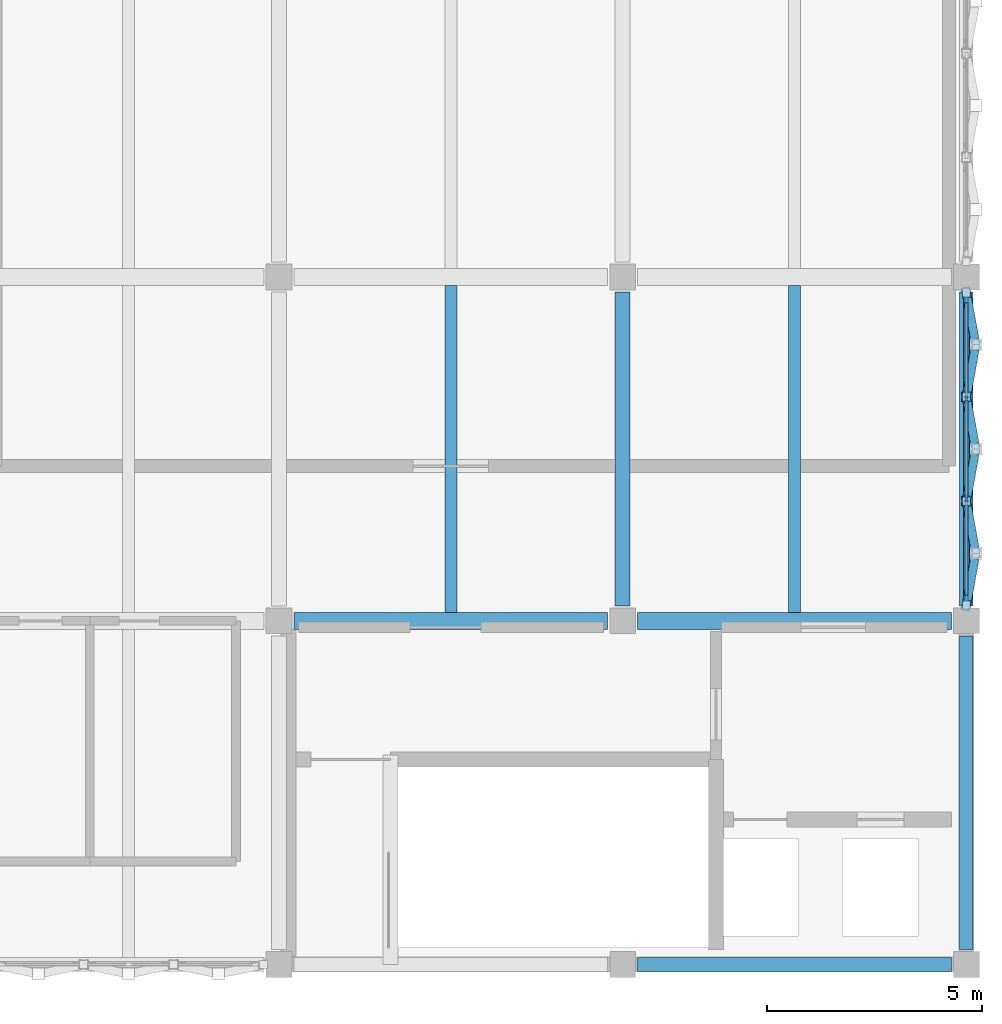
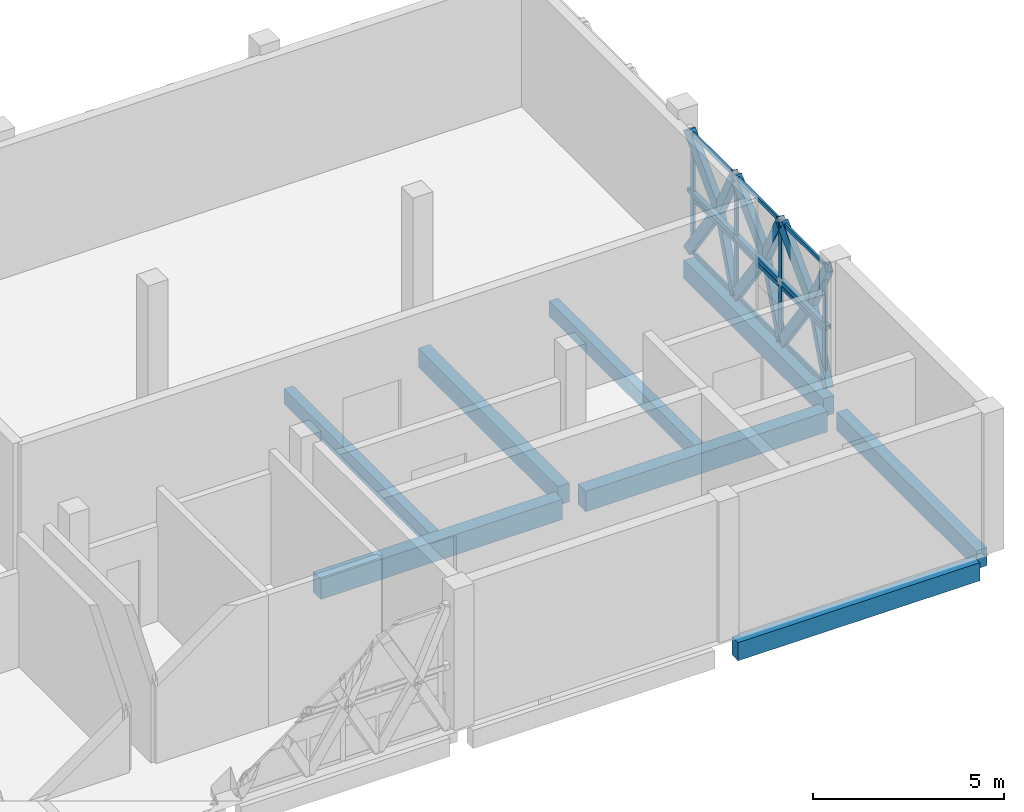
# One storey, part 16 of 43: 28 members, 8 beams, 1 element without a shape of its own.
"""IFC4 building model written with IfcOpenShell, lengths in metres."""

from ifc_helpers import new_model, si_unit, direction, frame, origin, origin_2d, place, context, subcontext, project, spatial, rectangle, hollow_rectangle, extrude, material, layer, layer_set, material_profile, profile_set, type_object, element, aggregate, save


model = new_model("IFC4")

# Units and contexts
model_context = context("Model", 3, precision=1e-05, world=origin(), true_north=direction((0.0, 1.0)))
body_context = subcontext(model_context, "Body", "Model", "MODEL_VIEW")
ifc_project = project(units=[si_unit("LENGTHUNIT", "METRE"), si_unit("AREAUNIT", "SQUARE_METRE"), si_unit("VOLUMEUNIT", "CUBIC_METRE"), si_unit("PLANEANGLEUNIT", "RADIAN"), si_unit("MASSUNIT", "GRAM", prefix="KILO")], contexts=[model_context])

# Site, building, storey
site_placement = place(None, origin())
site = spatial("IfcSite", under=ifc_project, at=site_placement, CompositionType="ELEMENT")
building_placement = place(site_placement, origin())
building = spatial("IfcBuilding", under=site, at=building_placement, Name="Qorikala Patio Media Centre", CompositionType="ELEMENT")
storey_placement = place(building_placement, frame((0.0, 0.0, 18.89990234375)))
storey = spatial("IfcBuildingStorey", under=building, at=storey_placement, Name="L04", CompositionType="ELEMENT", Elevation=18.89990234375)

# Beams
ifc_material_1 = material(Name="Concrete C35/45", Category="concrete")
ifc_material_profile_1 = material_profile(ifc_material_1, rectangle(XDim=0.35009765625, YDim=0.60009765625, at=origin_2d()), Name="RC 350x600")
ifc_profile_set_1 = profile_set([ifc_material_profile_1], Name="Concrete C35/45")
beam_type_1 = type_object("IfcBeamType", Name="BM-G350X600", PredefinedType="BEAM", material=ifc_profile_set_1)
beam_placement = place(storey_placement, frame((90.0, 11.35009765625, -0.599853515625), z_axis=(0.0, 1.0, 0.0), x_axis=(-1.0, 0.0, 0.0)))
element("IfcBeam", 1, at=beam_placement, inside=storey, type_object=beam_type_1, Name="L04 Grid X=90 Beam 1438", PredefinedType="BEAM", context=body_context, shape_type="SweptSolid", body=[
    extrude(rectangle(XDim=0.35009765625, YDim=0.60009765625, at=origin_2d()), origin(), (0.0, 0.0, 1.0), 7.2998046875),
])
ifc_material_profile_2 = material_profile(ifc_material_1, rectangle(XDim=0.39990234375, YDim=0.64990234375, at=origin_2d()), Name="RC 400x650")
ifc_profile_set_2 = profile_set([ifc_material_profile_2], Name="Concrete C35/45")
beam_type_2 = type_object("IfcBeamType", Name="BM-G400X650", PredefinedType="BEAM", material=ifc_profile_set_2)
for number, where, z_axis, x_axis, name in (
    (2, (82.35009765625, 11.0, -0.625), (1.0, 0.0, 0.0), (0.0, 1.0, 0.0), "L04 Grid 11 Beam 1339"),
    (3, (90.35009765625, 11.0, -0.625), (1.0, 0.0, 0.0), (0.0, 1.0, 0.0), "L04 Grid 11 Beam 1340"),
):
    element("IfcBeam", number, at=place(storey_placement, frame(where, z_axis=z_axis, x_axis=x_axis)), inside=storey, type_object=beam_type_2, Name=name, PredefinedType="BEAM", context=body_context, shape_type="SweptSolid", body=[
        extrude(rectangle(XDim=0.39990234375, YDim=0.64990234375, at=origin_2d()), origin(), (0.0, 0.0, 1.0), 7.2998046875),
    ])

# Members
ifc_material_2 = material(Name="Golden Bronze Coated Steel S355", Category="steel")
ifc_material_profile_3 = material_profile(ifc_material_2, hollow_rectangle(XDim=0.139892578125, YDim=0.139892578125, WallThickness=0.006103515625, at=origin_2d()), Name="HSS140X140X6")
ifc_profile_set_3 = profile_set([ifc_material_profile_3], Name="Golden Bronze Coated Steel S355")
member_type_1 = type_object("IfcMemberType", Name="BRACE-DIA140", PredefinedType="BRACE", material=ifc_profile_set_3)
member_1_placement = place(storey_placement, frame((98.0, 18.639892578125, 1.925048828125), z_axis=(0.0, -1.0, 0.0), x_axis=(1.0, 0.0, 0.0)))
element("IfcMember", 4, at=member_1_placement, inside=storey, type_object=member_type_1, Name="L04 Diamond Fold Tie 124", PredefinedType="BRACE", context=body_context, shape_type="SweptSolid", body=[
    extrude(hollow_rectangle(XDim=0.139892578125, YDim=0.139892578125, WallThickness=0.006103515625, at=origin_2d()), origin(), (0.0, 0.0, 1.0), 2.426513671875),
])
member_2_placement = place(storey_placement, frame((98.0, 16.21337890625, 1.925048828125), z_axis=(0.0, -1.0, 0.0), x_axis=(1.0, 0.0, 0.0)))
element("IfcMember", 5, at=member_2_placement, inside=storey, type_object=member_type_1, Name="L04 Diamond Fold Tie 125", PredefinedType="BRACE", context=body_context, shape_type="SweptSolid", body=[
    extrude(hollow_rectangle(XDim=0.139892578125, YDim=0.139892578125, WallThickness=0.006103515625, at=origin_2d()), origin(), (0.0, 0.0, 1.0), 2.4267578125),
])
member_3_placement = place(storey_placement, frame((98.0, 13.78662109375, 1.925048828125), z_axis=(0.0, -1.0, 0.0), x_axis=(1.0, 0.0, 0.0)))
element("IfcMember", 6, at=member_3_placement, inside=storey, type_object=member_type_1, Name="L04 Diamond Fold Tie 126", PredefinedType="BRACE", context=body_context, shape_type="SweptSolid", body=[
    extrude(hollow_rectangle(XDim=0.139892578125, YDim=0.139892578125, WallThickness=0.006103515625, at=origin_2d()), origin(), (0.0, 0.0, 1.0), 2.426513671875),
])

# Curtain wall, members
ifc_material_3 = material(Name="Golden Bronze Anodised Aluminium and Low-E Glass", Category="aluminium")
ifc_layer = layer(ifc_material_3, 0.159912109375)
ifc_layer_set = layer_set([ifc_layer], Name="Golden Bronze Anodised Aluminium and Low-E Glass")
curtain_wall_type = type_object("IfcCurtainWallType", Name="CW-DIA-696X385", PredefinedType="USERDEFINED", material=ifc_layer_set)
curtain_wall_placement = place(storey_placement, origin())
curtain_wall = element("IfcCurtainWall", 7, at=curtain_wall_placement, inside=storey, type_object=curtain_wall_type, Name="L04 Courtyard Curtain Wall 083", ObjectType="COURTYARD CURTAIN WALL", PredefinedType="USERDEFINED")
ifc_material_4 = material(Name="Golden Bronze Anodised Aluminium", Category="aluminium")
ifc_material_profile_4 = material_profile(ifc_material_4, rectangle(XDim=0.06494140625, YDim=0.14990234375, at=origin_2d()), Name="ALU MULLION 65x150")
ifc_profile_set_4 = profile_set([ifc_material_profile_4], Name="Golden Bronze Anodised Aluminium")
member_type_2 = type_object("IfcMemberType", Name="CWM-65X150", PredefinedType="MULLION", material=ifc_profile_set_4)
member_4_placement = place(storey_placement, frame((98.0, 18.447509765625, 0.0), z_axis=(0.0, 0.0, 1.0), x_axis=(1.0, 0.0, 0.0)))
member_4 = element("IfcMember", 8, at=member_4_placement, type_object=member_type_2, Name="CWD696385 mullion 1", PredefinedType="MULLION", context=body_context, shape_type="SweptSolid", body=[
    extrude(rectangle(XDim=0.06494140625, YDim=0.14990234375, at=origin_2d()), origin(), (0.0, 0.0, 1.0), 3.85009765625),
])
member_5_placement = place(storey_placement, frame((98.0, 16.159912109375, 0.0), z_axis=(0.0, 0.0, 1.0), x_axis=(1.0, 0.0, 0.0)))
member_5 = element("IfcMember", 9, at=member_5_placement, type_object=member_type_2, Name="CWD696385 mullion 2", PredefinedType="MULLION", context=body_context, shape_type="SweptSolid", body=[
    extrude(rectangle(XDim=0.06494140625, YDim=0.14990234375, at=origin_2d()), origin(), (0.0, 0.0, 1.0), 3.85009765625),
])
member_6_placement = place(storey_placement, frame((98.0, 13.840087890625, 0.0), z_axis=(0.0, 0.0, 1.0), x_axis=(1.0, 0.0, 0.0)))
member_6 = element("IfcMember", 10, at=member_6_placement, type_object=member_type_2, Name="CWD696385 mullion 3", PredefinedType="MULLION", context=body_context, shape_type="SweptSolid", body=[
    extrude(rectangle(XDim=0.06494140625, YDim=0.14990234375, at=origin_2d()), origin(), (0.0, 0.0, 1.0), 3.85009765625),
])
member_7_placement = place(storey_placement, frame((98.0, 11.552490234375, 0.0), z_axis=(0.0, 0.0, 1.0), x_axis=(1.0, 0.0, 0.0)))
member_7 = element("IfcMember", 11, at=member_7_placement, type_object=member_type_2, Name="CWD696385 mullion 4", PredefinedType="MULLION", context=body_context, shape_type="SweptSolid", body=[
    extrude(rectangle(XDim=0.06494140625, YDim=0.14990234375, at=origin_2d()), origin(), (0.0, 0.0, 1.0), 3.85009765625),
])
ifc_material_profile_5 = material_profile(ifc_material_4, rectangle(XDim=0.06494140625, YDim=0.1201171875, at=origin_2d()), Name="ALU TRANSOM 65x120")
ifc_profile_set_5 = profile_set([ifc_material_profile_5], Name="Golden Bronze Anodised Aluminium")
member_type_3 = type_object("IfcMemberType", Name="CWT-65X120", PredefinedType="USERDEFINED", material=ifc_profile_set_5)
member_8_placement = place(storey_placement, frame((98.0, 18.4150390625, 0.03271484375), z_axis=(0.0, -1.0, 0.0), x_axis=(1.0, 0.0, 0.0)))
member_8 = element("IfcMember", 12, at=member_8_placement, type_object=member_type_3, Name="CWD696385 transom 1.1", ObjectType="TRANSOM", PredefinedType="USERDEFINED", context=body_context, shape_type="SweptSolid", body=[
    extrude(rectangle(XDim=0.06494140625, YDim=0.1201171875, at=origin_2d()), origin(), (0.0, 0.0, 1.0), 2.22265625),
])
member_9_placement = place(storey_placement, frame((98.0, 18.4150390625, 1.732666015625), z_axis=(0.0, -1.0, 0.0), x_axis=(1.0, 0.0, 0.0)))
member_9 = element("IfcMember", 13, at=member_9_placement, type_object=member_type_3, Name="CWD696385 transom 1.2", ObjectType="TRANSOM", PredefinedType="USERDEFINED", context=body_context, shape_type="SweptSolid", body=[
    extrude(rectangle(XDim=0.06494140625, YDim=0.1201171875, at=origin_2d()), origin(), (0.0, 0.0, 1.0), 2.22265625),
])
member_10_placement = place(storey_placement, frame((98.0, 18.4150390625, 3.817626953125), z_axis=(0.0, -1.0, 0.0), x_axis=(1.0, 0.0, 0.0)))
member_10 = element("IfcMember", 14, at=member_10_placement, type_object=member_type_3, Name="CWD696385 transom 1.3", ObjectType="TRANSOM", PredefinedType="USERDEFINED", context=body_context, shape_type="SweptSolid", body=[
    extrude(rectangle(XDim=0.06494140625, YDim=0.1201171875, at=origin_2d()), origin(), (0.0, 0.0, 1.0), 2.22265625),
])
member_11_placement = place(storey_placement, frame((98.0, 16.12744140625, 0.03271484375), z_axis=(0.0, -1.0, 0.0), x_axis=(1.0, 0.0, 0.0)))
member_11 = element("IfcMember", 15, at=member_11_placement, type_object=member_type_3, Name="CWD696385 transom 2.1", ObjectType="TRANSOM", PredefinedType="USERDEFINED", context=body_context, shape_type="SweptSolid", body=[
    extrude(rectangle(XDim=0.06494140625, YDim=0.1201171875, at=origin_2d()), origin(), (0.0, 0.0, 1.0), 2.2548828125),
])
member_12_placement = place(storey_placement, frame((98.0, 16.12744140625, 1.732666015625), z_axis=(0.0, -1.0, 0.0), x_axis=(1.0, 0.0, 0.0)))
member_12 = element("IfcMember", 16, at=member_12_placement, type_object=member_type_3, Name="CWD696385 transom 2.2", ObjectType="TRANSOM", PredefinedType="USERDEFINED", context=body_context, shape_type="SweptSolid", body=[
    extrude(rectangle(XDim=0.06494140625, YDim=0.1201171875, at=origin_2d()), origin(), (0.0, 0.0, 1.0), 2.2548828125),
])
member_13_placement = place(storey_placement, frame((98.0, 16.12744140625, 3.817626953125), z_axis=(0.0, -1.0, 0.0), x_axis=(1.0, 0.0, 0.0)))
member_13 = element("IfcMember", 17, at=member_13_placement, type_object=member_type_3, Name="CWD696385 transom 2.3", ObjectType="TRANSOM", PredefinedType="USERDEFINED", context=body_context, shape_type="SweptSolid", body=[
    extrude(rectangle(XDim=0.06494140625, YDim=0.1201171875, at=origin_2d()), origin(), (0.0, 0.0, 1.0), 2.2548828125),
])
member_14_placement = place(storey_placement, frame((98.0, 13.8076171875, 0.03271484375), z_axis=(0.0, -1.0, 0.0), x_axis=(1.0, 0.0, 0.0)))
member_14 = element("IfcMember", 18, at=member_14_placement, type_object=member_type_3, Name="CWD696385 transom 3.1", ObjectType="TRANSOM", PredefinedType="USERDEFINED", context=body_context, shape_type="SweptSolid", body=[
    extrude(rectangle(XDim=0.06494140625, YDim=0.1201171875, at=origin_2d()), origin(), (0.0, 0.0, 1.0), 2.22265625),
])
member_15_placement = place(storey_placement, frame((98.0, 13.8076171875, 1.732666015625), z_axis=(0.0, -1.0, 0.0), x_axis=(1.0, 0.0, 0.0)))
member_15 = element("IfcMember", 19, at=member_15_placement, type_object=member_type_3, Name="CWD696385 transom 3.2", ObjectType="TRANSOM", PredefinedType="USERDEFINED", context=body_context, shape_type="SweptSolid", body=[
    extrude(rectangle(XDim=0.06494140625, YDim=0.1201171875, at=origin_2d()), origin(), (0.0, 0.0, 1.0), 2.22265625),
])
member_16_placement = place(storey_placement, frame((98.0, 13.8076171875, 3.817626953125), z_axis=(0.0, -1.0, 0.0), x_axis=(1.0, 0.0, 0.0)))
member_16 = element("IfcMember", 20, at=member_16_placement, type_object=member_type_3, Name="CWD696385 transom 3.3", ObjectType="TRANSOM", PredefinedType="USERDEFINED", context=body_context, shape_type="SweptSolid", body=[
    extrude(rectangle(XDim=0.06494140625, YDim=0.1201171875, at=origin_2d()), origin(), (0.0, 0.0, 1.0), 2.22265625),
])
aggregate(curtain_wall, [member_4, member_5, member_6, member_7, member_8, member_9, member_10, member_11, member_12, member_13, member_14, member_15, member_16])

# Beams
ifc_material_profile_6 = material_profile(ifc_material_1, rectangle(XDim=0.280029296875, YDim=0.47998046875, at=origin_2d()), Name="RC 280x480")
ifc_profile_set_6 = profile_set([ifc_material_profile_6], Name="Concrete C35/45")
beam_type_3 = type_object("IfcBeamType", Name="JS-280X480", PredefinedType="JOIST", material=ifc_profile_set_6)
for number, where, z_axis, x_axis, name in (
    (21, (86.0, 11.199951171875, -0.539794921875), (0.0, 1.0, 0.0), (-1.0, 0.0, 0.0), "L04 Secondary Joist 1482"),
    (22, (94.0, 11.199951171875, -0.539794921875), (0.0, 1.0, 0.0), (-1.0, 0.0, 0.0), "L04 Secondary Joist 1484"),
):
    element("IfcBeam", number, at=place(storey_placement, frame(where, z_axis=z_axis, x_axis=x_axis)), inside=storey, type_object=beam_type_3, Name=name, PredefinedType="JOIST", context=body_context, shape_type="SweptSolid", body=[
        extrude(rectangle(XDim=0.280029296875, YDim=0.47998046875, at=origin_2d()), origin(), (0.0, 0.0, 1.0), 7.60009765625),
    ])
ifc_material_profile_7 = material_profile(ifc_material_1, rectangle(XDim=0.320068359375, YDim=0.580078125, at=origin_2d()), Name="RC 320x580")
ifc_profile_set_7 = profile_set([ifc_material_profile_7], Name="Concrete C35/45")
beam_type_4 = type_object("IfcBeamType", Name="SP-320X580", PredefinedType="SPANDREL", material=ifc_profile_set_7)
for number, where, z_axis, x_axis, name in (
    (23, (90.35009765625, 3.0, -0.58984375), (1.0, 0.0, 0.0), (0.0, 1.0, 0.0), "L04 Grid 3 Beam 1329"),
    (24, (98.0, 3.35009765625, -0.58984375), (0.0, 1.0, 0.0), (-1.0, 0.0, 0.0), "L04 Grid X=98 Beam 1440"),
    (25, (98.0, 11.35009765625, -0.58984375), (0.0, 1.0, 0.0), (-1.0, 0.0, 0.0), "L04 Grid X=98 Beam 1441"),
):
    element("IfcBeam", number, at=place(storey_placement, frame(where, z_axis=z_axis, x_axis=x_axis)), inside=storey, type_object=beam_type_4, Name=name, PredefinedType="SPANDREL", context=body_context, shape_type="SweptSolid", body=[
        extrude(rectangle(XDim=0.320068359375, YDim=0.580078125, at=origin_2d()), origin(), (0.0, 0.0, 1.0), 7.2998046875),
    ])

# Members
ifc_material_profile_8 = material_profile(ifc_material_2, hollow_rectangle(XDim=0.199951171875, YDim=0.300048828125, WallThickness=0.011962890625, at=origin_2d()), Name="HSS300X200X12")
ifc_profile_set_8 = profile_set([ifc_material_profile_8], Name="Golden Bronze Coated Steel S355")
member_type_4 = type_object("IfcMemberType", Name="STRUT-DIA300", PredefinedType="STRUT", material=ifc_profile_set_8)
member_17_placement = place(storey_placement, frame((98.0, 18.639892578125, 0.0), z_axis=(0.095906793675, -0.530691378365, 0.842121456713), x_axis=(0.984059472596, 0.17783968734, 0.0)))
element("IfcMember", 26, at=member_17_placement, inside=storey, type_object=member_type_4, Name="L04 Diamond Foyer Fold Strut 124-DL1", PredefinedType="STRUT", context=body_context, shape_type="SweptSolid", body=[
    extrude(hollow_rectangle(XDim=0.199951171875, YDim=0.300048828125, WallThickness=0.011962890625, at=origin_2d()), origin(), (0.0, 0.0, 1.0), 2.285888671875),
])
member_18_placement = place(storey_placement, frame((98.0, 16.21337890625, 0.0), z_axis=(0.095901357778, 0.530768093717, 0.842073726148), x_axis=(-0.98406573416, 0.177805036072, 0.0)))
element("IfcMember", 27, at=member_18_placement, inside=storey, type_object=member_type_4, Name="L04 Diamond Foyer Fold Strut 124-DL2", PredefinedType="STRUT", context=body_context, shape_type="SweptSolid", body=[
    extrude(hollow_rectangle(XDim=0.199951171875, YDim=0.300048828125, WallThickness=0.011962890625, at=origin_2d()), origin(), (0.0, 0.0, 1.0), 2.2861328125),
])
member_19_placement = place(storey_placement, frame((98.21923828125, 17.4267578125, 1.925048828125), z_axis=(-0.095906793675, 0.530691378365, 0.842121456713), x_axis=(-0.984059472596, -0.17783968734, 0.0)))
element("IfcMember", 28, at=member_19_placement, inside=storey, type_object=member_type_4, Name="L04 Diamond Foyer Fold Strut 124-DU1", PredefinedType="STRUT", context=body_context, shape_type="SweptSolid", body=[
    extrude(hollow_rectangle(XDim=0.199951171875, YDim=0.300048828125, WallThickness=0.011962890625, at=origin_2d()), origin(), (0.0, 0.0, 1.0), 2.285888671875),
])
for number, where, z_axis, x_axis, name in (
    (29, (98.21923828125, 17.4267578125, 1.925048828125), (-0.095901357778, -0.530768093717, 0.842073726148), (0.98406573416, -0.177805036072, 0.0), "L04 Diamond Foyer Fold Strut 124-DU2"),
    (30, (98.0, 16.21337890625, 0.0), (0.095901357778, -0.530768093717, 0.842073726148), (0.98406573416, 0.177805036072, 0.0), "L04 Diamond Foyer Fold Strut 125-DL1"),
    (31, (98.0, 13.78662109375, 0.0), (0.095901357778, 0.530768093717, 0.842073726148), (-0.98406573416, 0.177805036072, 0.0), "L04 Diamond Foyer Fold Strut 125-DL2"),
    (32, (98.21923828125, 15.0, 1.925048828125), (-0.095901357778, 0.530768093717, 0.842073726148), (-0.98406573416, -0.177805036072, 0.0), "L04 Diamond Foyer Fold Strut 125-DU1"),
    (33, (98.21923828125, 15.0, 1.925048828125), (-0.095901357778, -0.530768093717, 0.842073726148), (0.98406573416, -0.177805036072, 0.0), "L04 Diamond Foyer Fold Strut 125-DU2"),
    (34, (98.0, 13.78662109375, 0.0), (0.095901357778, -0.530768093717, 0.842073726148), (0.98406573416, 0.177805036072, 0.0), "L04 Diamond Foyer Fold Strut 126-DL1"),
):
    element("IfcMember", number, at=place(storey_placement, frame(where, z_axis=z_axis, x_axis=x_axis)), inside=storey, type_object=member_type_4, Name=name, PredefinedType="STRUT", context=body_context, shape_type="SweptSolid", body=[
        extrude(hollow_rectangle(XDim=0.199951171875, YDim=0.300048828125, WallThickness=0.011962890625, at=origin_2d()), origin(), (0.0, 0.0, 1.0), 2.2861328125),
    ])
member_20_placement = place(storey_placement, frame((98.0, 11.360107421875, 0.0), z_axis=(0.095906793675, 0.530691378365, 0.842121456713), x_axis=(-0.984059472596, 0.17783968734, 0.0)))
element("IfcMember", 35, at=member_20_placement, inside=storey, type_object=member_type_4, Name="L04 Diamond Foyer Fold Strut 126-DL2", PredefinedType="STRUT", context=body_context, shape_type="SweptSolid", body=[
    extrude(hollow_rectangle(XDim=0.199951171875, YDim=0.300048828125, WallThickness=0.011962890625, at=origin_2d()), origin(), (0.0, 0.0, 1.0), 2.285888671875),
])
member_21_placement = place(storey_placement, frame((98.21923828125, 12.5732421875, 1.925048828125), z_axis=(-0.095901357778, 0.530768093717, 0.842073726148), x_axis=(-0.98406573416, -0.177805036072, 0.0)))
element("IfcMember", 36, at=member_21_placement, inside=storey, type_object=member_type_4, Name="L04 Diamond Foyer Fold Strut 126-DU1", PredefinedType="STRUT", context=body_context, shape_type="SweptSolid", body=[
    extrude(hollow_rectangle(XDim=0.199951171875, YDim=0.300048828125, WallThickness=0.011962890625, at=origin_2d()), origin(), (0.0, 0.0, 1.0), 2.2861328125),
])
member_22_placement = place(storey_placement, frame((98.21923828125, 12.5732421875, 1.925048828125), z_axis=(-0.095906793675, -0.530691378365, 0.842121456713), x_axis=(0.984059472596, -0.17783968734, 0.0)))
element("IfcMember", 37, at=member_22_placement, inside=storey, type_object=member_type_4, Name="L04 Diamond Foyer Fold Strut 126-DU2", PredefinedType="STRUT", context=body_context, shape_type="SweptSolid", body=[
    extrude(hollow_rectangle(XDim=0.199951171875, YDim=0.300048828125, WallThickness=0.011962890625, at=origin_2d()), origin(), (0.0, 0.0, 1.0), 2.285888671875),
])

save(model, "model.ifc")
